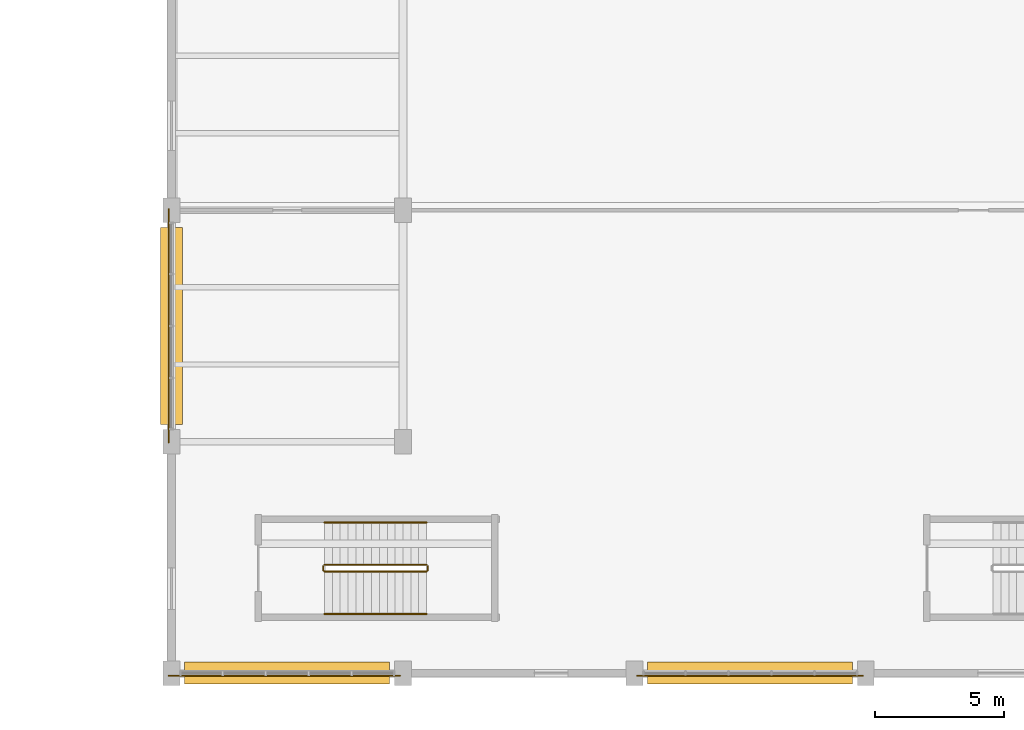
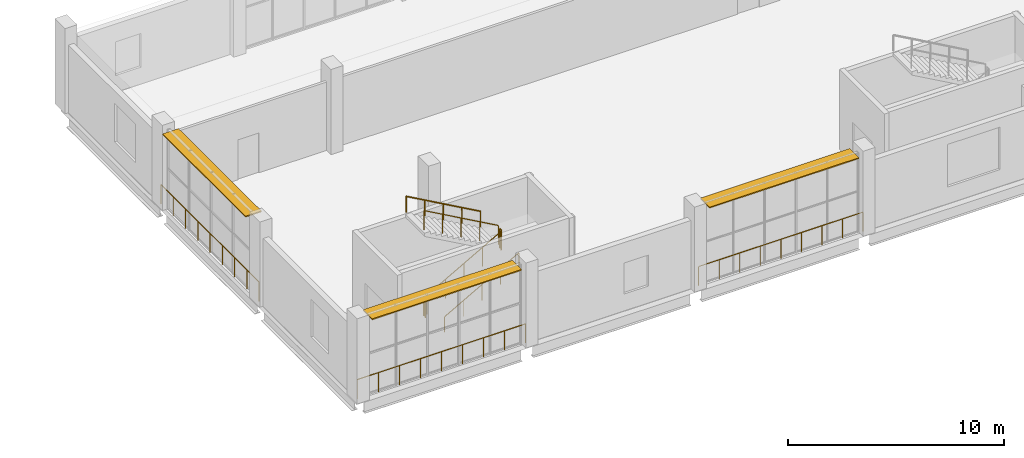
# One storey, part 125 of 179: 9 railings, 3 shading devices.
"""IFC4 building model written with IfcOpenShell, lengths in metres."""

from ifc_helpers import new_model, si_unit, direction, frame, origin, origin_2d, place, context, subcontext, project, spatial, rectangle, circle, extrude, material, layer, layer_set, type_object, element, save


model = new_model("IFC4")

# Units and contexts
model_context = context("Model", 3, precision=1e-05, world=origin(), true_north=direction((0.0, 1.0)))
body_context = subcontext(model_context, "Body", "Model", "MODEL_VIEW")
ifc_project = project(units=[si_unit("LENGTHUNIT", "METRE"), si_unit("AREAUNIT", "SQUARE_METRE"), si_unit("VOLUMEUNIT", "CUBIC_METRE"), si_unit("PLANEANGLEUNIT", "RADIAN"), si_unit("MASSUNIT", "GRAM", prefix="KILO")], contexts=[model_context])

# Site, building, storey
site_placement = place(None, origin())
site = spatial("IfcSite", under=ifc_project, at=site_placement, CompositionType="ELEMENT")
building_placement = place(site_placement, origin())
building = spatial("IfcBuilding", under=site, at=building_placement, Name="Zevraka Park Crest Stadium", CompositionType="ELEMENT")
storey_placement = place(building_placement, frame((0.0, 0.0, 10.199951171875)))
storey = spatial("IfcBuildingStorey", under=building, at=storey_placement, Name="L02", CompositionType="ELEMENT", Elevation=10.199951171875)

# Railings
ifc_material_1 = material(Name="Galvanised and bronze-finished steel balustrade", Category="steel")
railing_type_1 = type_object("IfcRailingType", Name="GR01", PredefinedType="GUARDRAIL", material=ifc_material_1)
railing_1_placement = place(storey_placement, frame((35.884033203125, -0.10498046875, 0.0)))
element("IfcRailing", 1, at=railing_1_placement, inside=storey, type_object=railing_type_1, Name="Deck Edge Protection Guardrail GR01 L02-39", PredefinedType="GUARDRAIL", context=body_context, shape_type="SweptSolid", body=[
    extrude(circle(Radius=0.02392578125, at=origin_2d()), frame((0.0, 0.0, 1.076171875), z_axis=(-1.0, 0.0, 0.0), x_axis=(0.0, -1.0, 0.0)), (0.0, 0.0, 1.0), 8.76806640625),
    extrude(circle(Radius=0.02099609375, at=origin_2d()), origin(), (0.0, 0.0, 1.0), 1.052001953125),
    extrude(circle(Radius=0.02099609375, at=origin_2d()), frame((-1.095947265625, 0.0, 0.0)), (0.0, 0.0, 1.0), 1.052001953125),
    extrude(circle(Radius=0.02099609375, at=origin_2d()), frame((-2.19189453125, 0.0, 0.0)), (0.0, 0.0, 1.0), 1.052001953125),
    extrude(circle(Radius=0.02099609375, at=origin_2d()), frame((-3.2880859375, 0.0, 0.0)), (0.0, 0.0, 1.0), 1.052001953125),
    extrude(circle(Radius=0.02099609375, at=origin_2d()), frame((-4.384033203125, 0.0, 0.0)), (0.0, 0.0, 1.0), 1.052001953125),
    extrude(circle(Radius=0.02099609375, at=origin_2d()), frame((-5.47998046875, 0.0, 0.0)), (0.0, 0.0, 1.0), 1.052001953125),
    extrude(circle(Radius=0.02099609375, at=origin_2d()), frame((-6.576171875, 0.0, 0.0)), (0.0, 0.0, 1.0), 1.052001953125),
    extrude(circle(Radius=0.02099609375, at=origin_2d()), frame((-7.672119140625, 0.0, 0.0)), (0.0, 0.0, 1.0), 1.052001953125),
    extrude(circle(Radius=0.02099609375, at=origin_2d()), frame((-8.76806640625, 0.0, 0.0)), (0.0, 0.0, 1.0), 1.052001953125),
])
railing_2_placement = place(storey_placement, frame((17.884033203125, -0.10498046875, 0.0)))
element("IfcRailing", 2, at=railing_2_placement, inside=storey, type_object=railing_type_1, Name="Deck Edge Protection Guardrail GR01 L02-40", PredefinedType="GUARDRAIL", context=body_context, shape_type="SweptSolid", body=[
    extrude(circle(Radius=0.02392578125, at=origin_2d()), frame((0.0, 0.0, 1.076171875), z_axis=(-1.0, 0.0, 0.0), x_axis=(0.0, -1.0, 0.0)), (0.0, 0.0, 1.0), 8.989013671875),
    extrude(circle(Radius=0.02099609375, at=origin_2d()), origin(), (0.0, 0.0, 1.0), 1.052001953125),
    extrude(circle(Radius=0.02099609375, at=origin_2d()), frame((-1.12353515625, 0.0, 0.0)), (0.0, 0.0, 1.0), 1.052001953125),
    extrude(circle(Radius=0.02099609375, at=origin_2d()), frame((-2.247314453125, 0.0, 0.0)), (0.0, 0.0, 1.0), 1.052001953125),
    extrude(circle(Radius=0.02099609375, at=origin_2d()), frame((-3.370849609375, 0.0, 0.0)), (0.0, 0.0, 1.0), 1.052001953125),
    extrude(circle(Radius=0.02099609375, at=origin_2d()), frame((-4.49462890625, 0.0, 0.0)), (0.0, 0.0, 1.0), 1.052001953125),
    extrude(circle(Radius=0.02099609375, at=origin_2d()), frame((-5.6181640625, 0.0, 0.0)), (0.0, 0.0, 1.0), 1.052001953125),
    extrude(circle(Radius=0.02099609375, at=origin_2d()), frame((-6.74169921875, 0.0, 0.0)), (0.0, 0.0, 1.0), 1.052001953125),
    extrude(circle(Radius=0.02099609375, at=origin_2d()), frame((-7.865478515625, 0.0, 0.0)), (0.0, 0.0, 1.0), 1.052001953125),
    extrude(circle(Radius=0.02099609375, at=origin_2d()), frame((-8.989013671875, 0.0, 0.0)), (0.0, 0.0, 1.0), 1.052001953125),
])
railing_3_placement = place(storey_placement, frame((8.89501953125, 8.966064453125, 0.0)))
element("IfcRailing", 3, at=railing_3_placement, inside=storey, type_object=railing_type_1, Name="Deck Edge Protection Guardrail GR01 L02-41", PredefinedType="GUARDRAIL", context=body_context, shape_type="SweptSolid", body=[
    extrude(circle(Radius=0.02392578125, at=origin_2d()), frame((0.0, 0.0, 1.076171875), z_axis=(0.0, 1.0, 0.0), x_axis=(-1.0, 0.0, 0.0)), (0.0, 0.0, 1.0), 9.06787109375),
    extrude(circle(Radius=0.02099609375, at=origin_2d()), origin(), (0.0, 0.0, 1.0), 1.052001953125),
    extrude(circle(Radius=0.02099609375, at=origin_2d()), frame((0.0, 1.133544921875, 0.0)), (0.0, 0.0, 1.0), 1.052001953125),
    extrude(circle(Radius=0.02099609375, at=origin_2d()), frame((0.0, 2.26708984375, 0.0)), (0.0, 0.0, 1.0), 1.052001953125),
    extrude(circle(Radius=0.02099609375, at=origin_2d()), frame((0.0, 3.400390625, 0.0)), (0.0, 0.0, 1.0), 1.052001953125),
    extrude(circle(Radius=0.02099609375, at=origin_2d()), frame((0.0, 4.533935546875, 0.0)), (0.0, 0.0, 1.0), 1.052001953125),
    extrude(circle(Radius=0.02099609375, at=origin_2d()), frame((0.0, 5.66748046875, 0.0)), (0.0, 0.0, 1.0), 1.052001953125),
    extrude(circle(Radius=0.02099609375, at=origin_2d()), frame((0.0, 6.80078125, 0.0)), (0.0, 0.0, 1.0), 1.052001953125),
    extrude(circle(Radius=0.02099609375, at=origin_2d()), frame((0.0, 7.934326171875, 0.0)), (0.0, 0.0, 1.0), 1.052001953125),
    extrude(circle(Radius=0.02099609375, at=origin_2d()), frame((0.0, 9.06787109375, 0.0)), (0.0, 0.0, 1.0), 1.052001953125),
])
ifc_material_2 = material(Name="Powder-coated tubular steel stairwell guard", Category="steel")
railing_type_2 = type_object("IfcRailingType", Name="GR03", PredefinedType="GUARDRAIL", material=ifc_material_2)
railing_4_placement = place(storey_placement, frame((14.949951171875, 3.949951171875, 0.17138671875)))
element("IfcRailing", 4, at=railing_4_placement, inside=storey, type_object=railing_type_2, Name="L02 ST51 stair guard 1", PredefinedType="GUARDRAIL", context=body_context, shape_type="SweptSolid", body=[
    extrude(circle(Radius=0.02392578125, at=origin_2d()), frame((0.0, 0.0, 1.076171875), z_axis=(0.871726007364, 0.0, 0.489993640861), x_axis=(0.0, 1.0, 0.0)), (0.0, 0.0, 1.0), 4.548583984375),
    extrude(circle(Radius=0.02099609375, at=origin_2d()), origin(), (0.0, 0.0, 1.0), 1.052001953125),
    extrude(circle(Radius=0.02099609375, at=origin_2d()), frame((0.9912109375, 0.0, 0.55712890625)), (0.0, 0.0, 1.0), 1.052001953125),
    extrude(circle(Radius=0.02099609375, at=origin_2d()), frame((1.982421875, 0.0, 1.1142578125)), (0.0, 0.0, 1.0), 1.052001953125),
    extrude(circle(Radius=0.02099609375, at=origin_2d()), frame((2.973876953125, 0.0, 1.671630859375)), (0.0, 0.0, 1.0), 1.052001953125),
    extrude(circle(Radius=0.02099609375, at=origin_2d()), frame((3.965087890625, 0.0, 2.228759765625)), (0.0, 0.0, 1.0), 1.052001953125),
])
railing_5_placement = place(storey_placement, frame((18.965087890625, 4.0, 2.400146484375)))
element("IfcRailing", 5, at=railing_5_placement, inside=storey, type_object=railing_type_2, Name="L02 ST51 stair guard 2", PredefinedType="GUARDRAIL", context=body_context, shape_type="SweptSolid", body=[
    extrude(circle(Radius=0.02392578125, at=origin_2d()), frame((0.0, 0.0, 1.076171875), z_axis=(0.0, 1.0, 0.0), x_axis=(-1.0, 0.0, 0.0)), (0.0, 0.0, 1.0), 0.159912109375),
    extrude(circle(Radius=0.02099609375, at=origin_2d()), origin(), (0.0, 0.0, 1.0), 1.052001953125),
    extrude(circle(Radius=0.02099609375, at=origin_2d()), frame((0.0, 0.159912109375, 0.0)), (0.0, 0.0, 1.0), 1.052001953125),
])
railing_6_placement = place(storey_placement, frame((18.9150390625, 4.2099609375, 2.571533203125)))
element("IfcRailing", 6, at=railing_6_placement, inside=storey, type_object=railing_type_2, Name="L02 ST51 stair guard 3", PredefinedType="GUARDRAIL", context=body_context, shape_type="SweptSolid", body=[
    extrude(circle(Radius=0.02392578125, at=origin_2d()), frame((0.0, 0.0, 1.076171875), z_axis=(-0.871748933509, 0.0, 0.489952851738), x_axis=(0.0, -1.0, 0.0)), (0.0, 0.0, 1.0), 4.54833984375),
    extrude(circle(Radius=0.02099609375, at=origin_2d()), origin(), (0.0, 0.0, 1.0), 1.052001953125),
    extrude(circle(Radius=0.02099609375, at=origin_2d()), frame((-0.9912109375, 0.0, 0.55712890625)), (0.0, 0.0, 1.0), 1.052001953125),
    extrude(circle(Radius=0.02099609375, at=origin_2d()), frame((-1.982421875, 0.0, 1.1142578125)), (0.0, 0.0, 1.0), 1.052001953125),
    extrude(circle(Radius=0.02099609375, at=origin_2d()), frame((-2.973876953125, 0.0, 1.67138671875)), (0.0, 0.0, 1.0), 1.052001953125),
    extrude(circle(Radius=0.02099609375, at=origin_2d()), frame((-3.965087890625, 0.0, 2.228515625)), (0.0, 0.0, 1.0), 1.052001953125),
])
railing_7_placement = place(storey_placement, frame((14.89990234375, 4.0, 0.0)))
element("IfcRailing", 7, at=railing_7_placement, inside=storey, type_object=railing_type_2, Name="L02 ST51 stair guard 4", PredefinedType="GUARDRAIL", context=body_context, shape_type="SweptSolid", body=[
    extrude(circle(Radius=0.02392578125, at=origin_2d()), frame((0.0, 0.0, 1.076171875), z_axis=(0.0, 1.0, 0.0), x_axis=(-1.0, 0.0, 0.0)), (0.0, 0.0, 1.0), 0.159912109375),
    extrude(circle(Radius=0.02099609375, at=origin_2d()), origin(), (0.0, 0.0, 1.0), 1.052001953125),
    extrude(circle(Radius=0.02099609375, at=origin_2d()), frame((0.0, 0.159912109375, 0.0)), (0.0, 0.0, 1.0), 1.052001953125),
])
ifc_material_3 = material(Name="Brushed stainless steel continuous handrail", Category="steel")
railing_type_3 = type_object("IfcRailingType", Name="HR01", PredefinedType="HANDRAIL", material=ifc_material_3)
railing_8_placement = place(storey_placement, frame((14.949951171875, 2.300048828125, 0.17138671875)))
element("IfcRailing", 8, at=railing_8_placement, inside=storey, type_object=railing_type_3, Name="L02 ST51 stair handrail 1", PredefinedType="HANDRAIL", context=body_context, shape_type="SweptSolid", body=[
    extrude(circle(Radius=0.02392578125, at=origin_2d()), frame((0.0, 0.0, 0.8759765625), z_axis=(0.871726007364, 0.0, 0.489993640861), x_axis=(0.0, 1.0, 0.0)), (0.0, 0.0, 1.0), 4.548583984375),
    extrude(circle(Radius=0.02099609375, at=origin_2d()), origin(), (0.0, 0.0, 1.0), 0.851806640625),
    extrude(circle(Radius=0.02099609375, at=origin_2d()), frame((0.9912109375, 0.0, 0.55712890625)), (0.0, 0.0, 1.0), 0.851806640625),
    extrude(circle(Radius=0.02099609375, at=origin_2d()), frame((1.982421875, 0.0, 1.1142578125)), (0.0, 0.0, 1.0), 0.851806640625),
    extrude(circle(Radius=0.02099609375, at=origin_2d()), frame((2.973876953125, 0.0, 1.671630859375)), (0.0, 0.0, 1.0), 0.851806640625),
    extrude(circle(Radius=0.02099609375, at=origin_2d()), frame((3.965087890625, 0.0, 2.228759765625)), (0.0, 0.0, 1.0), 0.851806640625),
])
railing_9_placement = place(storey_placement, frame((18.9150390625, 5.860107421875, 2.571533203125)))
element("IfcRailing", 9, at=railing_9_placement, inside=storey, type_object=railing_type_3, Name="L02 ST51 stair handrail 2", PredefinedType="HANDRAIL", context=body_context, shape_type="SweptSolid", body=[
    extrude(circle(Radius=0.02392578125, at=origin_2d()), frame((0.0, 0.0, 0.8759765625), z_axis=(-0.871748933509, 0.0, 0.489952851738), x_axis=(0.0, -1.0, 0.0)), (0.0, 0.0, 1.0), 4.54833984375),
    extrude(circle(Radius=0.02099609375, at=origin_2d()), origin(), (0.0, 0.0, 1.0), 0.851806640625),
    extrude(circle(Radius=0.02099609375, at=origin_2d()), frame((-0.9912109375, 0.0, 0.55712890625)), (0.0, 0.0, 1.0), 0.851806640625),
    extrude(circle(Radius=0.02099609375, at=origin_2d()), frame((-1.982421875, 0.0, 1.1142578125)), (0.0, 0.0, 1.0), 0.851806640625),
    extrude(circle(Radius=0.02099609375, at=origin_2d()), frame((-2.973876953125, 0.0, 1.67138671875)), (0.0, 0.0, 1.0), 0.851806640625),
    extrude(circle(Radius=0.02099609375, at=origin_2d()), frame((-3.965087890625, 0.0, 2.228515625)), (0.0, 0.0, 1.0), 0.851806640625),
])

# Shading devices
ifc_material_4 = material(Name="Architectural golden-bronze anodised bronze", Category="aluminium")
ifc_layer = layer(ifc_material_4, 0.06005859375)
ifc_layer_set = layer_set([ifc_layer], Name="Architectural golden-bronze anodised bronze")
shading_device_type = type_object("IfcShadingDeviceType", Name="SHD01", PredefinedType="USERDEFINED", material=ifc_layer_set)
for number, where, z_axis, x_axis, name in (
    (10, (31.5, 0.0, 4.419921875), (0.0, 0.0, 1.0), (-1.0, 0.0, 0.0), "Wing Bronze Solar Screen SHD01 L02-SW-S1-6"),
    (11, (13.5, 0.0, 4.419921875), (0.0, 0.0, 1.0), (-1.0, 0.0, 0.0), "Wing Bronze Solar Screen SHD01 L02-SW-S1-8"),
):
    element("IfcShadingDevice", number, at=place(storey_placement, frame(where, z_axis=z_axis, x_axis=x_axis)), inside=storey, type_object=shading_device_type, Name=name, ObjectType="SOLAR SCREEN", PredefinedType="USERDEFINED", context=body_context, shape_type="SweptSolid", body=[
        extrude(rectangle(XDim=7.969970703125, YDim=0.85009765625, at=origin_2d()), origin(), (0.0, 0.0, 1.0), 0.06005859375),
    ])
shading_device_placement = place(storey_placement, frame((9.0, 13.5, 4.419921875), z_axis=(0.0, 0.0, 1.0), x_axis=(0.0, 1.0, 0.0)))
element("IfcShadingDevice", 12, at=shading_device_placement, inside=storey, type_object=shading_device_type, Name="Wing Bronze Solar Screen SHD01 L02-SW-W-2", ObjectType="SOLAR SCREEN", PredefinedType="USERDEFINED", context=body_context, shape_type="SweptSolid", body=[
    extrude(rectangle(XDim=7.669921875, YDim=0.85009765625, at=origin_2d()), origin(), (0.0, 0.0, 1.0), 0.06005859375),
])

save(model, "model.ifc")
